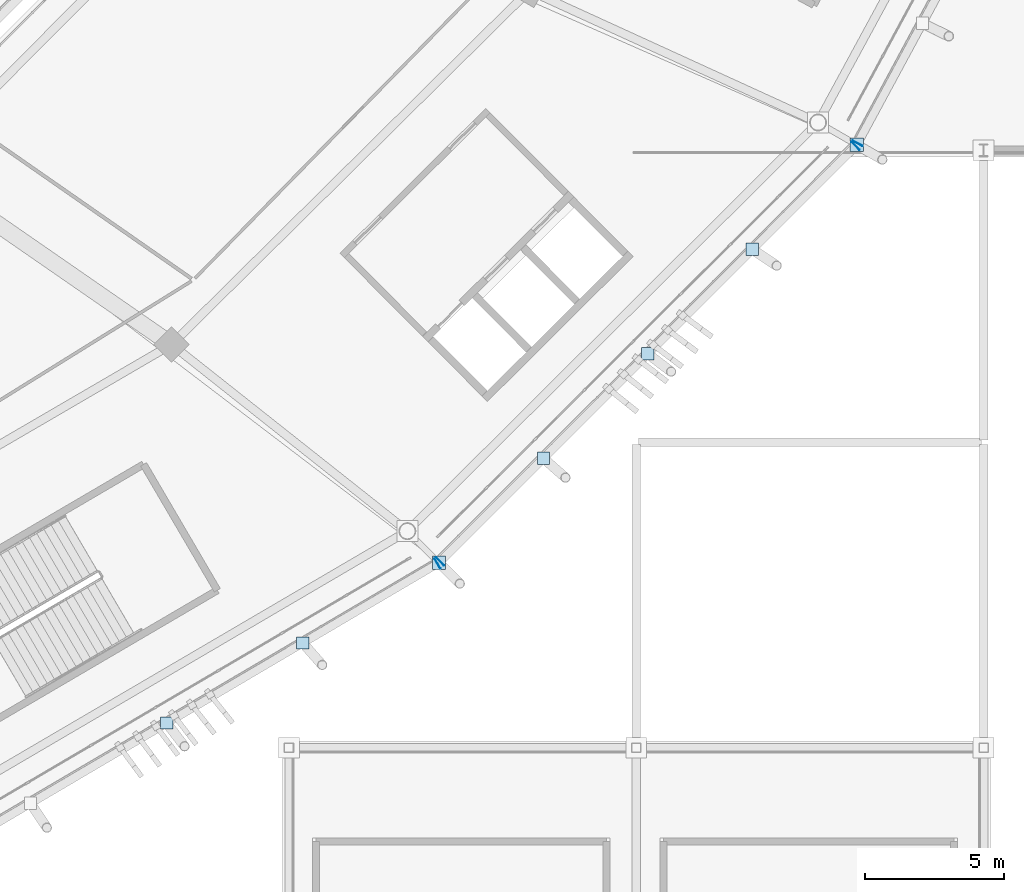
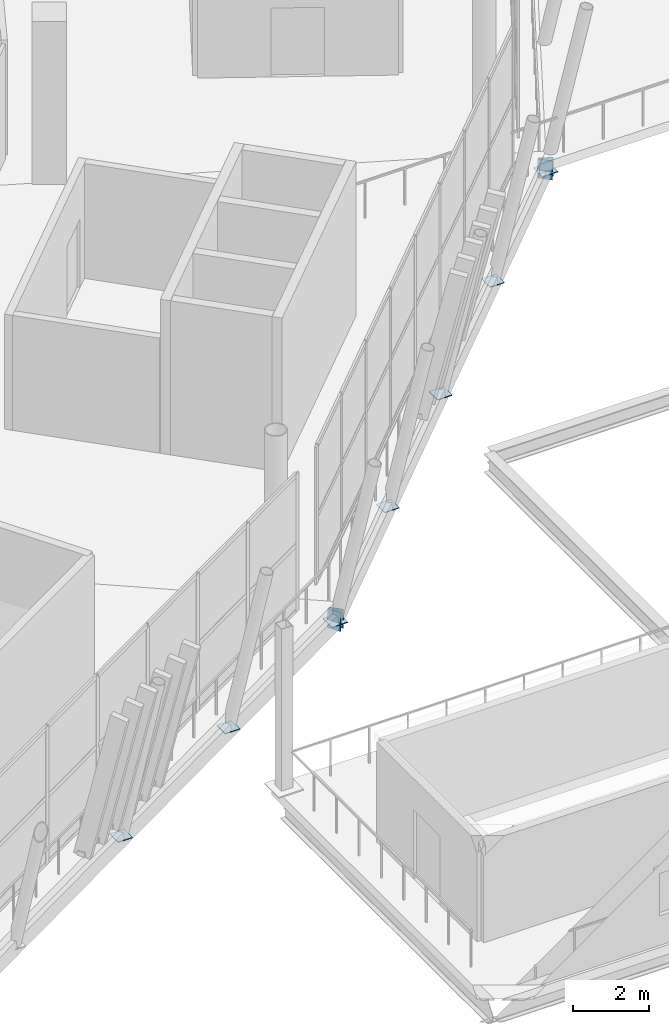
# One storey, part 110 of 178: 11 plates.
"""IFC4 building model written with IfcOpenShell, lengths in metres."""

from ifc_helpers import new_model, si_unit, direction, frame, origin, origin_2d, place, context, subcontext, project, spatial, rectangle, extrude, material, layer, layer_set, type_object, element, save


model = new_model("IFC4")

# Units and contexts
model_context = context("Model", 3, precision=1e-05, world=origin(), true_north=direction((0.0, 1.0)))
body_context = subcontext(model_context, "Body", "Model", "MODEL_VIEW")
ifc_project = project(units=[si_unit("LENGTHUNIT", "METRE"), si_unit("AREAUNIT", "SQUARE_METRE"), si_unit("VOLUMEUNIT", "CUBIC_METRE"), si_unit("PLANEANGLEUNIT", "RADIAN"), si_unit("MASSUNIT", "GRAM", prefix="KILO")], contexts=[model_context])

# Site, building, storey
site_placement = place(None, origin())
site = spatial("IfcSite", under=ifc_project, at=site_placement, CompositionType="ELEMENT")
building_placement = place(site_placement, origin())
building = spatial("IfcBuilding", under=site, at=building_placement, Name="Zlatoyarsky Gate Stadium", CompositionType="ELEMENT")
storey_placement = place(building_placement, frame((0.0, 0.0, 5.39990234375)))
storey = spatial("IfcBuildingStorey", under=building, at=storey_placement, Name="L01", CompositionType="ELEMENT", Elevation=5.39990234375)

# Plates
ifc_material = material(Name="Steel S355", Category="steel")
ifc_layer = layer(ifc_material, 0.02392578125)
ifc_layer_set = layer_set([ifc_layer], Name="Steel S355")
plate_type = type_object("IfcPlateType", Name="STEEL HOLLOW CHORD SPLICE SHEET 24", PredefinedType="SHEET", material=ifc_layer_set)
for number, where, z_axis, x_axis, name in (
    (1, (177.8466796875, 28.627685546875, -0.849853515625), (0.0, 0.0, 1.0), (0.861685850781, 0.50744210957, 0.0), "Hollow end cap ND-SP1 CAP-L01-SPD-20 B"),
    (2, (177.940673828125, 28.700439453125, -0.849853515625), (0.0, 0.0, 1.0), (0.707045644314, 0.707167912773, 0.0), "Hollow end cap ND-SP1 CAP-L01-SPD-21 A"),
    (3, (192.89111328125, 43.6533203125, -0.849853515625), (0.0, 0.0, 1.0), (0.707045644314, 0.707167912773, 0.0), "Hollow end cap ND-SP1 CAP-L01-SPD-21 B"),
):
    element("IfcPlate", number, at=place(storey_placement, frame(where, z_axis=z_axis, x_axis=x_axis)), inside=storey, type_object=plate_type, Name=name, PredefinedType="SHEET", context=body_context, shape_type="SweptSolid", body=[
        extrude(rectangle(XDim=0.02392578125, YDim=0.39990234375, at=origin_2d()), origin(), (0.0, 0.0, 1.0), 0.60009765625),
    ])
plate_1_placement = place(storey_placement, frame((177.898193359375, 28.657958984375, -0.61181640625), z_axis=(0.0, 0.0, 1.0), x_axis=(1.0, 0.0, 0.0)))
element("IfcPlate", 4, at=plate_1_placement, inside=storey, type_object=plate_type, Name="Node closure plate ND-SP1 NCAP-L01-RSTR-21", PredefinedType="SHEET", context=body_context, shape_type="SweptSolid", body=[
    extrude(rectangle(XDim=0.47998046875, YDim=0.47998046875, at=origin_2d()), origin(), (0.0, 0.0, 1.0), 0.02392578125),
])
plate_2_placement = place(storey_placement, frame((192.9619140625, 43.74853515625, -0.849853515625), z_axis=(0.0, 0.0, 1.0), x_axis=(0.474955457217, 0.880009837252, 0.0)))
element("IfcPlate", 5, at=plate_2_placement, inside=storey, type_object=plate_type, Name="Hollow end cap ND-SP1 CAP-L01-SPD-22 A", PredefinedType="SHEET", context=body_context, shape_type="SweptSolid", body=[
    extrude(rectangle(XDim=0.02392578125, YDim=0.39990234375, at=origin_2d()), origin(), (0.0, 0.0, 1.0), 0.60009765625),
])
plate_3_placement = place(storey_placement, frame((192.933349609375, 43.69580078125, -0.61181640625), z_axis=(0.0, 0.0, 1.0), x_axis=(1.0, 0.0, 0.0)))
element("IfcPlate", 6, at=plate_3_placement, inside=storey, type_object=plate_type, Name="Node closure plate ND-SP1 NCAP-L01-RSTR-22", PredefinedType="SHEET", context=body_context, shape_type="SweptSolid", body=[
    extrude(rectangle(XDim=0.47998046875, YDim=0.47998046875, at=origin_2d()), origin(), (0.0, 0.0, 1.0), 0.02392578125),
])
for number, where, z_axis, x_axis, name in (
    (7, (168.101318359375, 22.888671875, -0.561767578125), (0.0, 0.0, 1.0), (1.0, 0.0, 0.0), "Node closure plate ND-SP1 NCAP-RIB-20-2-0B"),
    (8, (172.999755859375, 25.773193359375, -0.561767578125), (0.0, 0.0, 1.0), (1.0, 0.0, 0.0), "Node closure plate ND-SP1 NCAP-RIB-20-3-0B"),
    (9, (181.656982421875, 32.41748046875, -0.561767578125), (0.0, 0.0, 1.0), (1.0, 0.0, 0.0), "Node closure plate ND-SP1 NCAP-RIB-21-1-0B"),
    (10, (185.416015625, 36.177001953125, -0.561767578125), (0.0, 0.0, 1.0), (1.0, 0.0, 0.0), "Node closure plate ND-SP1 NCAP-RIB-21-2-0B"),
    (11, (189.174560546875, 39.936279296875, -0.561767578125), (0.0, 0.0, 1.0), (1.0, 0.0, 0.0), "Node closure plate ND-SP1 NCAP-RIB-21-3-0B"),
):
    element("IfcPlate", number, at=place(storey_placement, frame(where, z_axis=z_axis, x_axis=x_axis)), inside=storey, type_object=plate_type, Name=name, PredefinedType="SHEET", context=body_context, shape_type="SweptSolid", body=[
        extrude(rectangle(XDim=0.43994140625, YDim=0.43994140625, at=origin_2d()), origin(), (0.0, 0.0, 1.0), 0.02392578125),
    ])

save(model, "model.ifc")
